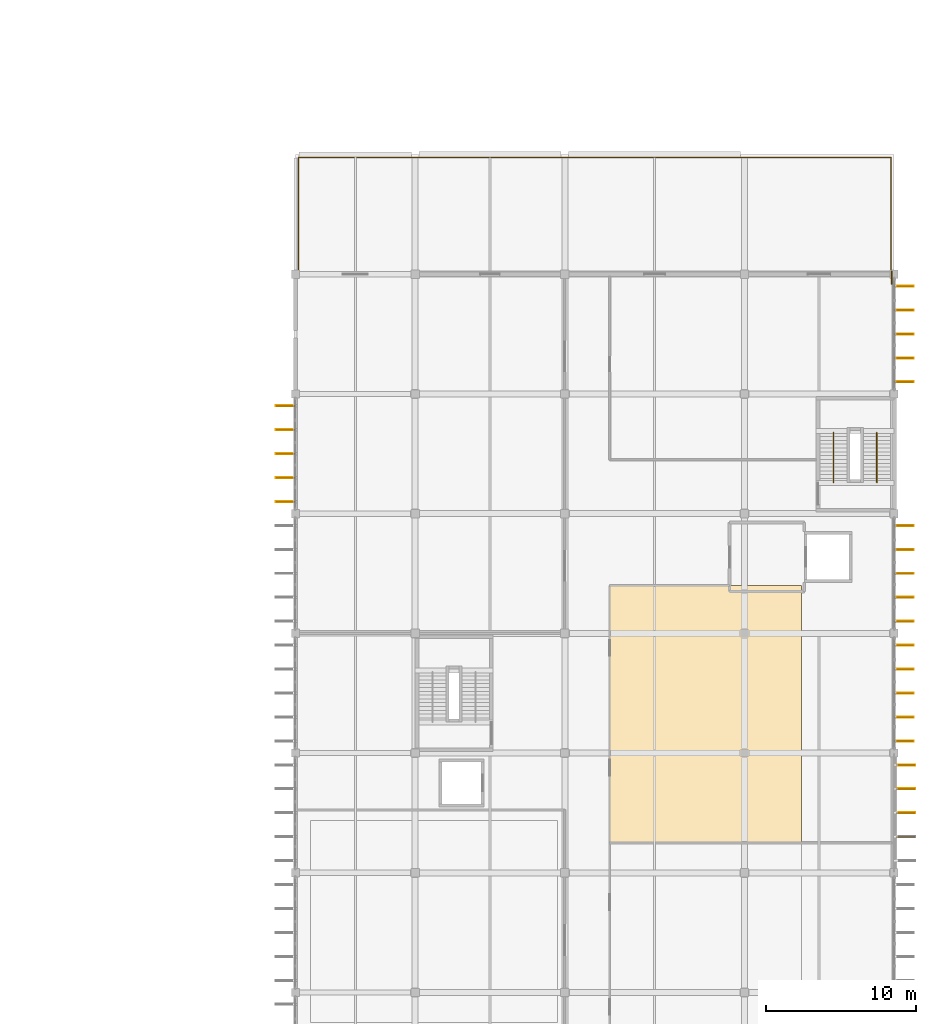
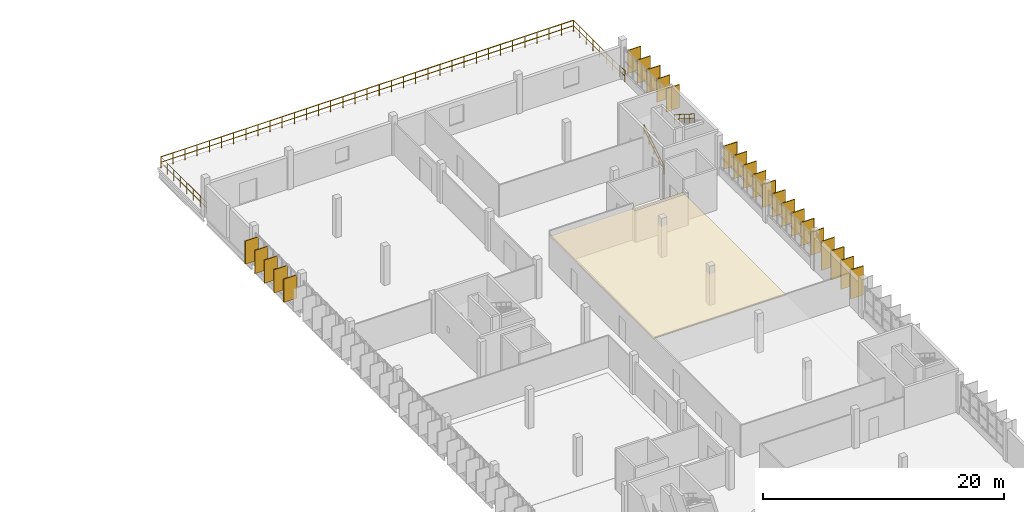
# One storey, part 38 of 38: 25 coverings, 23 shading devices, 6 railings.
"""IFC4 building model written with IfcOpenShell, lengths in metres."""

from ifc_helpers import new_model, si_unit, direction, frame, origin, origin_2d, place, context, subcontext, project, spatial, polyline, rectangle, circle, outline, extrude, material, layer, layer_set, type_object, element, save


model = new_model("IFC4")

# Units and contexts
model_context = context("Model", 3, precision=1e-05, world=origin(), true_north=direction((0.0, 1.0)))
body_context = subcontext(model_context, "Body", "Model", "MODEL_VIEW")
ifc_project = project(units=[si_unit("LENGTHUNIT", "METRE"), si_unit("AREAUNIT", "SQUARE_METRE"), si_unit("VOLUMEUNIT", "CUBIC_METRE"), si_unit("PLANEANGLEUNIT", "RADIAN"), si_unit("MASSUNIT", "GRAM", prefix="KILO")], contexts=[model_context])

# Site, building, storey
site_placement = place(None, origin())
site = spatial("IfcSite", under=ifc_project, at=site_placement, CompositionType="ELEMENT")
building_placement = place(site_placement, origin())
building = spatial("IfcBuilding", under=site, at=building_placement, Name="Drelvana Railside Aquatics Centre", CompositionType="ELEMENT")
storey_placement = place(building_placement, frame((0.0, 0.0, 14.39990234375)))
storey = spatial("IfcBuildingStorey", under=building, at=storey_placement, Name="L03", CompositionType="ELEMENT", Elevation=14.39990234375)

# Coverings
ifc_material_1 = material(Name="Moisture-resistant perforated acoustic timber ceiling", Category="wood")
ifc_layer = layer(ifc_material_1, 0.034912109375, Name="Moisture-resistant perforated acoustic timber ceiling")
ifc_layer_set = layer_set([ifc_layer], Name="Moisture-resistant perforated acoustic timber ceiling")
covering_type_1 = type_object("IfcCoveringType", Name="COV-CEIL-ACOUSTIC", PredefinedType="CEILING", material=ifc_layer_set)
covering_placement = place(storey_placement, frame((0.0, 0.0, 3.10009765625)))
element("IfcCovering", 1, at=covering_placement, inside=storey, type_object=covering_type_1, Name="Seminar Room 2 acoustic baffle ceiling", PredefinedType="CEILING", context=body_context, shape_type="SweptSolid", body=[
    extrude(outline(polyline([(165.0, 50.0), (177.800048828125, 50.0), (177.800048828125, 67.199951171875), (165.0, 67.199951171875), (165.0, 50.0)])), origin(), (0.0, 0.0, 1.0), 0.034912109375),
])
ifc_material_2 = material(Name="Bronze-anodised extruded aluminium 6063-T6", Category="aluminium")
covering_type_2 = type_object("IfcCoveringType", Name="COV-FIN-ALU", PredefinedType="CLADDING", material=ifc_material_2)
for number, where, z_axis, x_axis, name in (
    (2, (143.330078125, 72.800048828125, 0.85009765625), (0.0, 0.0, 1.0), (0.0, 1.0, 0.0), "Vertical aluminium fin cladding CF-0671"),
    (3, (143.330078125, 74.39990234375, 0.85009765625), (0.0, 0.0, 1.0), (0.0, 1.0, 0.0), "Vertical aluminium fin cladding CF-0672"),
    (4, (143.330078125, 76.0, 0.85009765625), (0.0, 0.0, 1.0), (0.0, 1.0, 0.0), "Vertical aluminium fin cladding CF-0673"),
    (5, (143.330078125, 77.60009765625, 0.85009765625), (0.0, 0.0, 1.0), (0.0, 1.0, 0.0), "Vertical aluminium fin cladding CF-0674"),
    (6, (143.330078125, 79.199951171875, 0.85009765625), (0.0, 0.0, 1.0), (0.0, 1.0, 0.0), "Vertical aluminium fin cladding CF-0675"),
):
    element("IfcCovering", number, at=place(storey_placement, frame(where, z_axis=z_axis, x_axis=x_axis)), inside=storey, type_object=covering_type_2, Name=name, PredefinedType="CLADDING", context=body_context, shape_type="SweptSolid", body=[
        extrude(rectangle(XDim=0.0849609375, YDim=1.25, at=origin_2d()), origin(), (0.0, 0.0, 1.0), 2.35009765625),
    ])
for number, where, z_axis, x_axis, name in (
    (7, (184.77490234375, 50.39990234375, 0.25), (0.0, 0.0, 1.0), (0.0, -1.0, 0.0), "Vertical aluminium fin cladding CF-0742"),
    (8, (184.77490234375, 52.0, 0.25), (0.0, 0.0, 1.0), (0.0, -1.0, 0.0), "Vertical aluminium fin cladding CF-0743"),
    (9, (184.77490234375, 53.60009765625, 0.25), (0.0, 0.0, 1.0), (0.0, -1.0, 0.0), "Vertical aluminium fin cladding CF-0744"),
    (10, (184.77490234375, 55.199951171875, 0.25), (0.0, 0.0, 1.0), (0.0, -1.0, 0.0), "Vertical aluminium fin cladding CF-0745"),
):
    element("IfcCovering", number, at=place(storey_placement, frame(where, z_axis=z_axis, x_axis=x_axis)), inside=storey, type_object=covering_type_2, Name=name, PredefinedType="CLADDING", context=body_context, shape_type="SweptSolid", body=[
        extrude(rectangle(XDim=0.0849609375, YDim=1.25, at=origin_2d()), origin(), (0.0, 0.0, 1.0), 2.949951171875),
    ])
for number, where, z_axis, x_axis, name in (
    (11, (184.669921875, 56.800048828125, 0.85009765625), (0.0, 0.0, 1.0), (0.0, -1.0, 0.0), "Vertical aluminium fin cladding CF-0766"),
    (12, (184.669921875, 58.39990234375, 0.85009765625), (0.0, 0.0, 1.0), (0.0, -1.0, 0.0), "Vertical aluminium fin cladding CF-0767"),
    (13, (184.669921875, 60.0, 0.85009765625), (0.0, 0.0, 1.0), (0.0, -1.0, 0.0), "Vertical aluminium fin cladding CF-0768"),
    (14, (184.669921875, 61.60009765625, 0.85009765625), (0.0, 0.0, 1.0), (0.0, -1.0, 0.0), "Vertical aluminium fin cladding CF-0769"),
    (15, (184.669921875, 63.199951171875, 0.85009765625), (0.0, 0.0, 1.0), (0.0, -1.0, 0.0), "Vertical aluminium fin cladding CF-0770"),
    (16, (184.669921875, 64.800048828125, 0.85009765625), (0.0, 0.0, 1.0), (0.0, -1.0, 0.0), "Vertical aluminium fin cladding CF-0791"),
    (17, (184.669921875, 66.39990234375, 0.85009765625), (0.0, 0.0, 1.0), (0.0, -1.0, 0.0), "Vertical aluminium fin cladding CF-0792"),
    (18, (184.669921875, 68.0, 0.85009765625), (0.0, 0.0, 1.0), (0.0, -1.0, 0.0), "Vertical aluminium fin cladding CF-0793"),
    (19, (184.669921875, 69.60009765625, 0.85009765625), (0.0, 0.0, 1.0), (0.0, -1.0, 0.0), "Vertical aluminium fin cladding CF-0794"),
    (20, (184.669921875, 71.199951171875, 0.85009765625), (0.0, 0.0, 1.0), (0.0, -1.0, 0.0), "Vertical aluminium fin cladding CF-0795"),
    (21, (184.669921875, 80.800048828125, 0.85009765625), (0.0, 0.0, 1.0), (0.0, -1.0, 0.0), "Vertical aluminium fin cladding CF-0816"),
    (22, (184.669921875, 82.39990234375, 0.85009765625), (0.0, 0.0, 1.0), (0.0, -1.0, 0.0), "Vertical aluminium fin cladding CF-0817"),
    (23, (184.669921875, 84.0, 0.85009765625), (0.0, 0.0, 1.0), (0.0, -1.0, 0.0), "Vertical aluminium fin cladding CF-0818"),
    (24, (184.669921875, 85.60009765625, 0.85009765625), (0.0, 0.0, 1.0), (0.0, -1.0, 0.0), "Vertical aluminium fin cladding CF-0819"),
    (25, (184.669921875, 87.199951171875, 0.85009765625), (0.0, 0.0, 1.0), (0.0, -1.0, 0.0), "Vertical aluminium fin cladding CF-0820"),
):
    element("IfcCovering", number, at=place(storey_placement, frame(where, z_axis=z_axis, x_axis=x_axis)), inside=storey, type_object=covering_type_2, Name=name, PredefinedType="CLADDING", context=body_context, shape_type="SweptSolid", body=[
        extrude(rectangle(XDim=0.0849609375, YDim=1.25, at=origin_2d()), origin(), (0.0, 0.0, 1.0), 2.35009765625),
    ])

# Railings
ifc_material_3 = material(Name="Bronze-anodised stainless steel balustrade", Category="steel")
railing_type_1 = type_object("IfcRailingType", Name="RAL-GUARD-TER-1100", PredefinedType="GUARDRAIL", material=ifc_material_3)
railing_1_placement = place(storey_placement, frame((183.85009765625, 87.35009765625, 0.0)))
element("IfcRailing", 26, at=railing_1_placement, inside=storey, type_object=railing_type_1, Name="L03 terrace perimeter guard rail 8", PredefinedType="GUARDRAIL", context=body_context, shape_type="SweptSolid", body=[
    extrude(circle(Radius=0.02392578125, at=origin_2d()), frame((0.0, 0.0, 1.1259765625), z_axis=(0.0, 1.0, 0.0), x_axis=(-1.0, 0.0, 0.0)), (0.0, 0.0, 1.0), 0.849853515625),
    extrude(circle(Radius=0.02392578125, at=origin_2d()), frame((0.0, 0.0, 0.574951171875), z_axis=(0.0, 1.0, 0.0), x_axis=(-1.0, 0.0, 0.0)), (0.0, 0.0, 1.0), 0.849853515625),
    extrude(circle(Radius=0.02099609375, at=origin_2d()), origin(), (0.0, 0.0, 1.0), 1.101806640625),
    extrude(circle(Radius=0.02099609375, at=origin_2d()), frame((0.0, 0.849853515625, 0.0)), (0.0, 0.0, 1.0), 1.101806640625),
])
railing_2_placement = place(storey_placement, frame((144.199951171875, 95.800048828125, 0.0)))
element("IfcRailing", 27, at=railing_2_placement, inside=storey, type_object=railing_type_1, Name="L03 terrace perimeter guard rail 9", PredefinedType="GUARDRAIL", context=body_context, shape_type="SweptSolid", body=[
    extrude(circle(Radius=0.02392578125, at=origin_2d()), frame((0.0, 0.0, 1.1259765625), z_axis=(1.0, 0.0, 0.0), x_axis=(0.0, 1.0, 0.0)), (0.0, 0.0, 1.0), 39.60009765625),
    extrude(circle(Radius=0.02392578125, at=origin_2d()), frame((0.0, 0.0, 0.574951171875), z_axis=(1.0, 0.0, 0.0), x_axis=(0.0, 1.0, 0.0)), (0.0, 0.0, 1.0), 39.60009765625),
    extrude(circle(Radius=0.02099609375, at=origin_2d()), origin(), (0.0, 0.0, 1.0), 1.101806640625),
    extrude(circle(Radius=0.02099609375, at=origin_2d()), frame((1.164794921875, 0.0, 0.0)), (0.0, 0.0, 1.0), 1.101806640625),
    extrude(circle(Radius=0.02099609375, at=origin_2d()), frame((2.329345703125, 0.0, 0.0)), (0.0, 0.0, 1.0), 1.101806640625),
    extrude(circle(Radius=0.02099609375, at=origin_2d()), frame((3.494140625, 0.0, 0.0)), (0.0, 0.0, 1.0), 1.101806640625),
    extrude(circle(Radius=0.02099609375, at=origin_2d()), frame((4.658935546875, 0.0, 0.0)), (0.0, 0.0, 1.0), 1.101806640625),
    extrude(circle(Radius=0.02099609375, at=origin_2d()), frame((5.823486328125, 0.0, 0.0)), (0.0, 0.0, 1.0), 1.101806640625),
    extrude(circle(Radius=0.02099609375, at=origin_2d()), frame((6.98828125, 0.0, 0.0)), (0.0, 0.0, 1.0), 1.101806640625),
    extrude(circle(Radius=0.02099609375, at=origin_2d()), frame((8.153076171875, 0.0, 0.0)), (0.0, 0.0, 1.0), 1.101806640625),
    extrude(circle(Radius=0.02099609375, at=origin_2d()), frame((9.317626953125, 0.0, 0.0)), (0.0, 0.0, 1.0), 1.101806640625),
    extrude(circle(Radius=0.02099609375, at=origin_2d()), frame((10.482421875, 0.0, 0.0)), (0.0, 0.0, 1.0), 1.101806640625),
    extrude(circle(Radius=0.02099609375, at=origin_2d()), frame((11.64697265625, 0.0, 0.0)), (0.0, 0.0, 1.0), 1.101806640625),
    extrude(circle(Radius=0.02099609375, at=origin_2d()), frame((12.811767578125, 0.0, 0.0)), (0.0, 0.0, 1.0), 1.101806640625),
    extrude(circle(Radius=0.02099609375, at=origin_2d()), frame((13.9765625, 0.0, 0.0)), (0.0, 0.0, 1.0), 1.101806640625),
    extrude(circle(Radius=0.02099609375, at=origin_2d()), frame((15.14111328125, 0.0, 0.0)), (0.0, 0.0, 1.0), 1.101806640625),
    extrude(circle(Radius=0.02099609375, at=origin_2d()), frame((16.305908203125, 0.0, 0.0)), (0.0, 0.0, 1.0), 1.101806640625),
    extrude(circle(Radius=0.02099609375, at=origin_2d()), frame((17.470703125, 0.0, 0.0)), (0.0, 0.0, 1.0), 1.101806640625),
    extrude(circle(Radius=0.02099609375, at=origin_2d()), frame((18.63525390625, 0.0, 0.0)), (0.0, 0.0, 1.0), 1.101806640625),
    extrude(circle(Radius=0.02099609375, at=origin_2d()), frame((19.800048828125, 0.0, 0.0)), (0.0, 0.0, 1.0), 1.101806640625),
    extrude(circle(Radius=0.02099609375, at=origin_2d()), frame((20.96484375, 0.0, 0.0)), (0.0, 0.0, 1.0), 1.101806640625),
    extrude(circle(Radius=0.02099609375, at=origin_2d()), frame((22.12939453125, 0.0, 0.0)), (0.0, 0.0, 1.0), 1.101806640625),
    extrude(circle(Radius=0.02099609375, at=origin_2d()), frame((23.294189453125, 0.0, 0.0)), (0.0, 0.0, 1.0), 1.101806640625),
    extrude(circle(Radius=0.02099609375, at=origin_2d()), frame((24.458984375, 0.0, 0.0)), (0.0, 0.0, 1.0), 1.101806640625),
    extrude(circle(Radius=0.02099609375, at=origin_2d()), frame((25.62353515625, 0.0, 0.0)), (0.0, 0.0, 1.0), 1.101806640625),
    extrude(circle(Radius=0.02099609375, at=origin_2d()), frame((26.788330078125, 0.0, 0.0)), (0.0, 0.0, 1.0), 1.101806640625),
    extrude(circle(Radius=0.02099609375, at=origin_2d()), frame((27.953125, 0.0, 0.0)), (0.0, 0.0, 1.0), 1.101806640625),
    extrude(circle(Radius=0.02099609375, at=origin_2d()), frame((29.11767578125, 0.0, 0.0)), (0.0, 0.0, 1.0), 1.101806640625),
    extrude(circle(Radius=0.02099609375, at=origin_2d()), frame((30.282470703125, 0.0, 0.0)), (0.0, 0.0, 1.0), 1.101806640625),
    extrude(circle(Radius=0.02099609375, at=origin_2d()), frame((31.447021484375, 0.0, 0.0)), (0.0, 0.0, 1.0), 1.101806640625),
    extrude(circle(Radius=0.02099609375, at=origin_2d()), frame((32.61181640625, 0.0, 0.0)), (0.0, 0.0, 1.0), 1.101806640625),
    extrude(circle(Radius=0.02099609375, at=origin_2d()), frame((33.776611328125, 0.0, 0.0)), (0.0, 0.0, 1.0), 1.101806640625),
    extrude(circle(Radius=0.02099609375, at=origin_2d()), frame((34.941162109375, 0.0, 0.0)), (0.0, 0.0, 1.0), 1.101806640625),
    extrude(circle(Radius=0.02099609375, at=origin_2d()), frame((36.10595703125, 0.0, 0.0)), (0.0, 0.0, 1.0), 1.101806640625),
    extrude(circle(Radius=0.02099609375, at=origin_2d()), frame((37.270751953125, 0.0, 0.0)), (0.0, 0.0, 1.0), 1.101806640625),
    extrude(circle(Radius=0.02099609375, at=origin_2d()), frame((38.435302734375, 0.0, 0.0)), (0.0, 0.0, 1.0), 1.101806640625),
    extrude(circle(Radius=0.02099609375, at=origin_2d()), frame((39.60009765625, 0.0, 0.0)), (0.0, 0.0, 1.0), 1.101806640625),
])
for number, where, name in (
    (28, (144.199951171875, 88.199951171875, 0.0), "L03 terrace perimeter guard rail 10"),
    (29, (183.800048828125, 88.199951171875, 0.0), "L03 terrace perimeter guard rail 11"),
):
    element("IfcRailing", number, at=place(storey_placement, frame(where)), inside=storey, type_object=railing_type_1, Name=name, PredefinedType="GUARDRAIL", context=body_context, shape_type="SweptSolid", body=[
        extrude(circle(Radius=0.02392578125, at=origin_2d()), frame((0.0, 0.0, 1.1259765625), z_axis=(0.0, 1.0, 0.0), x_axis=(-1.0, 0.0, 0.0)), (0.0, 0.0, 1.0), 7.60009765625),
        extrude(circle(Radius=0.02392578125, at=origin_2d()), frame((0.0, 0.0, 0.574951171875), z_axis=(0.0, 1.0, 0.0), x_axis=(-1.0, 0.0, 0.0)), (0.0, 0.0, 1.0), 7.60009765625),
        extrude(circle(Radius=0.02099609375, at=origin_2d()), origin(), (0.0, 0.0, 1.0), 1.101806640625),
        extrude(circle(Radius=0.02099609375, at=origin_2d()), frame((0.0, 1.085693359375, 0.0)), (0.0, 0.0, 1.0), 1.101806640625),
        extrude(circle(Radius=0.02099609375, at=origin_2d()), frame((0.0, 2.17138671875, 0.0)), (0.0, 0.0, 1.0), 1.101806640625),
        extrude(circle(Radius=0.02099609375, at=origin_2d()), frame((0.0, 3.257080078125, 0.0)), (0.0, 0.0, 1.0), 1.101806640625),
        extrude(circle(Radius=0.02099609375, at=origin_2d()), frame((0.0, 4.343017578125, 0.0)), (0.0, 0.0, 1.0), 1.101806640625),
        extrude(circle(Radius=0.02099609375, at=origin_2d()), frame((0.0, 5.4287109375, 0.0)), (0.0, 0.0, 1.0), 1.101806640625),
        extrude(circle(Radius=0.02099609375, at=origin_2d()), frame((0.0, 6.514404296875, 0.0)), (0.0, 0.0, 1.0), 1.101806640625),
        extrude(circle(Radius=0.02099609375, at=origin_2d()), frame((0.0, 7.60009765625, 0.0)), (0.0, 0.0, 1.0), 1.101806640625),
    ])
ifc_material_4 = material(Name="Brushed stainless steel stair pitch handrail", Category="steel")
railing_type_2 = type_object("IfcRailingType", Name="RAL-HANDRAIL-950", PredefinedType="HANDRAIL", material=ifc_material_4)
railing_3_placement = place(storey_placement, frame((179.949951171875, 74.090087890625, 0.0)))
element("IfcRailing", 30, at=railing_3_placement, inside=storey, type_object=railing_type_2, Name="Stair ST-07 flight 1 handrail (L03)", PredefinedType="HANDRAIL", context=body_context, shape_type="SweptSolid", body=[
    extrude(circle(Radius=0.02392578125, at=origin_2d()), frame((0.0, 0.0, 0.92578125), z_axis=(0.0, 0.844745949813, 0.53516752543), x_axis=(-1.0, 0.0, 0.0)), (0.0, 0.0, 1.0), 3.924072265625),
    extrude(circle(Radius=0.02392578125, at=origin_2d()), frame((0.0, 0.0, 0.47509765625), z_axis=(0.0, 0.844745949813, 0.53516752543), x_axis=(-1.0, 0.0, 0.0)), (0.0, 0.0, 1.0), 3.924072265625),
    extrude(circle(Radius=0.02099609375, at=origin_2d()), origin(), (0.0, 0.0, 1.0), 0.90185546875),
    extrude(circle(Radius=0.02099609375, at=origin_2d()), frame((0.0, 0.82861328125, 0.52490234375)), (0.0, 0.0, 1.0), 0.90185546875),
    extrude(circle(Radius=0.02099609375, at=origin_2d()), frame((0.0, 1.657470703125, 1.050048828125)), (0.0, 0.0, 1.0), 0.90185546875),
    extrude(circle(Radius=0.02099609375, at=origin_2d()), frame((0.0, 2.486328125, 1.5751953125)), (0.0, 0.0, 1.0), 0.90185546875),
    extrude(circle(Radius=0.02099609375, at=origin_2d()), frame((0.0, 3.31494140625, 2.10009765625)), (0.0, 0.0, 1.0), 0.90185546875),
])
railing_4_placement = place(storey_placement, frame((182.85009765625, 77.405029296875, 2.10009765625)))
element("IfcRailing", 31, at=railing_4_placement, inside=storey, type_object=railing_type_2, Name="Stair ST-07 flight 2 handrail (L03)", PredefinedType="HANDRAIL", context=body_context, shape_type="SweptSolid", body=[
    extrude(circle(Radius=0.02392578125, at=origin_2d()), frame((0.0, 0.0, 0.92578125), z_axis=(0.0, -0.844745949813, 0.53516752543), x_axis=(1.0, 0.0, 0.0)), (0.0, 0.0, 1.0), 3.924072265625),
    extrude(circle(Radius=0.02392578125, at=origin_2d()), frame((0.0, 0.0, 0.47509765625), z_axis=(0.0, -0.844745949813, 0.53516752543), x_axis=(1.0, 0.0, 0.0)), (0.0, 0.0, 1.0), 3.924072265625),
    extrude(circle(Radius=0.02099609375, at=origin_2d()), origin(), (0.0, 0.0, 1.0), 0.90185546875),
    extrude(circle(Radius=0.02099609375, at=origin_2d()), frame((0.0, -0.82861328125, 0.52490234375)), (0.0, 0.0, 1.0), 0.90185546875),
    extrude(circle(Radius=0.02099609375, at=origin_2d()), frame((0.0, -1.657470703125, 1.050048828125)), (0.0, 0.0, 1.0), 0.90185546875),
    extrude(circle(Radius=0.02099609375, at=origin_2d()), frame((0.0, -2.486328125, 1.5751953125)), (0.0, 0.0, 1.0), 0.90185546875),
    extrude(circle(Radius=0.02099609375, at=origin_2d()), frame((0.0, -3.31494140625, 2.10009765625)), (0.0, 0.0, 1.0), 0.90185546875),
])

# Shading devices
shading_device_type = type_object("IfcShadingDeviceType", Name="SHD-FIN-1250", PredefinedType="USERDEFINED", material=ifc_material_2)
for number, where, z_axis, x_axis, name in (
    (32, (143.31005859375, 72.800048828125, 0.85009765625), (0.0, 0.0, 1.0), (-1.0, 0.0, 0.0), "Vertical bronze shading fin FN-0678"),
    (33, (143.31005859375, 74.39990234375, 0.85009765625), (0.0, 0.0, 1.0), (-1.0, 0.0, 0.0), "Vertical bronze shading fin FN-0679"),
    (34, (143.31005859375, 76.0, 0.85009765625), (0.0, 0.0, 1.0), (-1.0, 0.0, 0.0), "Vertical bronze shading fin FN-0680"),
    (35, (143.31005859375, 77.60009765625, 0.85009765625), (0.0, 0.0, 1.0), (-1.0, 0.0, 0.0), "Vertical bronze shading fin FN-0681"),
    (36, (143.31005859375, 79.199951171875, 0.85009765625), (0.0, 0.0, 1.0), (-1.0, 0.0, 0.0), "Vertical bronze shading fin FN-0682"),
):
    element("IfcShadingDevice", number, at=place(storey_placement, frame(where, z_axis=z_axis, x_axis=x_axis)), inside=storey, type_object=shading_device_type, Name=name, ObjectType="FIN", PredefinedType="USERDEFINED", context=body_context, shape_type="SweptSolid", body=[
        extrude(rectangle(XDim=1.25, YDim=0.06494140625, at=origin_2d()), origin(), (0.0, 0.0, 1.0), 2.35009765625),
    ])
for number, where, z_axis, x_axis, name in (
    (37, (184.794921875, 52.0, 0.25), (0.0, 0.0, 1.0), (1.0, 0.0, 0.0), "Vertical bronze shading fin FN-0750"),
    (38, (184.794921875, 53.60009765625, 0.25), (0.0, 0.0, 1.0), (1.0, 0.0, 0.0), "Vertical bronze shading fin FN-0751"),
    (39, (184.794921875, 55.199951171875, 0.25), (0.0, 0.0, 1.0), (1.0, 0.0, 0.0), "Vertical bronze shading fin FN-0752"),
):
    element("IfcShadingDevice", number, at=place(storey_placement, frame(where, z_axis=z_axis, x_axis=x_axis)), inside=storey, type_object=shading_device_type, Name=name, ObjectType="FIN", PredefinedType="USERDEFINED", context=body_context, shape_type="SweptSolid", body=[
        extrude(rectangle(XDim=1.25, YDim=0.06494140625, at=origin_2d()), origin(), (0.0, 0.0, 1.0), 2.949951171875),
    ])
for number, where, z_axis, x_axis, name in (
    (40, (184.68994140625, 56.800048828125, 0.85009765625), (0.0, 0.0, 1.0), (1.0, 0.0, 0.0), "Vertical bronze shading fin FN-0773"),
    (41, (184.68994140625, 58.39990234375, 0.85009765625), (0.0, 0.0, 1.0), (1.0, 0.0, 0.0), "Vertical bronze shading fin FN-0774"),
    (42, (184.68994140625, 60.0, 0.85009765625), (0.0, 0.0, 1.0), (1.0, 0.0, 0.0), "Vertical bronze shading fin FN-0775"),
    (43, (184.68994140625, 61.60009765625, 0.85009765625), (0.0, 0.0, 1.0), (1.0, 0.0, 0.0), "Vertical bronze shading fin FN-0776"),
    (44, (184.68994140625, 63.199951171875, 0.85009765625), (0.0, 0.0, 1.0), (1.0, 0.0, 0.0), "Vertical bronze shading fin FN-0777"),
    (45, (184.68994140625, 64.800048828125, 0.85009765625), (0.0, 0.0, 1.0), (1.0, 0.0, 0.0), "Vertical bronze shading fin FN-0798"),
    (46, (184.68994140625, 66.39990234375, 0.85009765625), (0.0, 0.0, 1.0), (1.0, 0.0, 0.0), "Vertical bronze shading fin FN-0799"),
    (47, (184.68994140625, 68.0, 0.85009765625), (0.0, 0.0, 1.0), (1.0, 0.0, 0.0), "Vertical bronze shading fin FN-0800"),
    (48, (184.68994140625, 69.60009765625, 0.85009765625), (0.0, 0.0, 1.0), (1.0, 0.0, 0.0), "Vertical bronze shading fin FN-0801"),
    (49, (184.68994140625, 71.199951171875, 0.85009765625), (0.0, 0.0, 1.0), (1.0, 0.0, 0.0), "Vertical bronze shading fin FN-0802"),
    (50, (184.68994140625, 80.800048828125, 0.85009765625), (0.0, 0.0, 1.0), (1.0, 0.0, 0.0), "Vertical bronze shading fin FN-0823"),
    (51, (184.68994140625, 82.39990234375, 0.85009765625), (0.0, 0.0, 1.0), (1.0, 0.0, 0.0), "Vertical bronze shading fin FN-0824"),
    (52, (184.68994140625, 84.0, 0.85009765625), (0.0, 0.0, 1.0), (1.0, 0.0, 0.0), "Vertical bronze shading fin FN-0825"),
    (53, (184.68994140625, 85.60009765625, 0.85009765625), (0.0, 0.0, 1.0), (1.0, 0.0, 0.0), "Vertical bronze shading fin FN-0826"),
    (54, (184.68994140625, 87.199951171875, 0.85009765625), (0.0, 0.0, 1.0), (1.0, 0.0, 0.0), "Vertical bronze shading fin FN-0827"),
):
    element("IfcShadingDevice", number, at=place(storey_placement, frame(where, z_axis=z_axis, x_axis=x_axis)), inside=storey, type_object=shading_device_type, Name=name, ObjectType="FIN", PredefinedType="USERDEFINED", context=body_context, shape_type="SweptSolid", body=[
        extrude(rectangle(XDim=1.25, YDim=0.06494140625, at=origin_2d()), origin(), (0.0, 0.0, 1.0), 2.35009765625),
    ])

save(model, "model.ifc")
